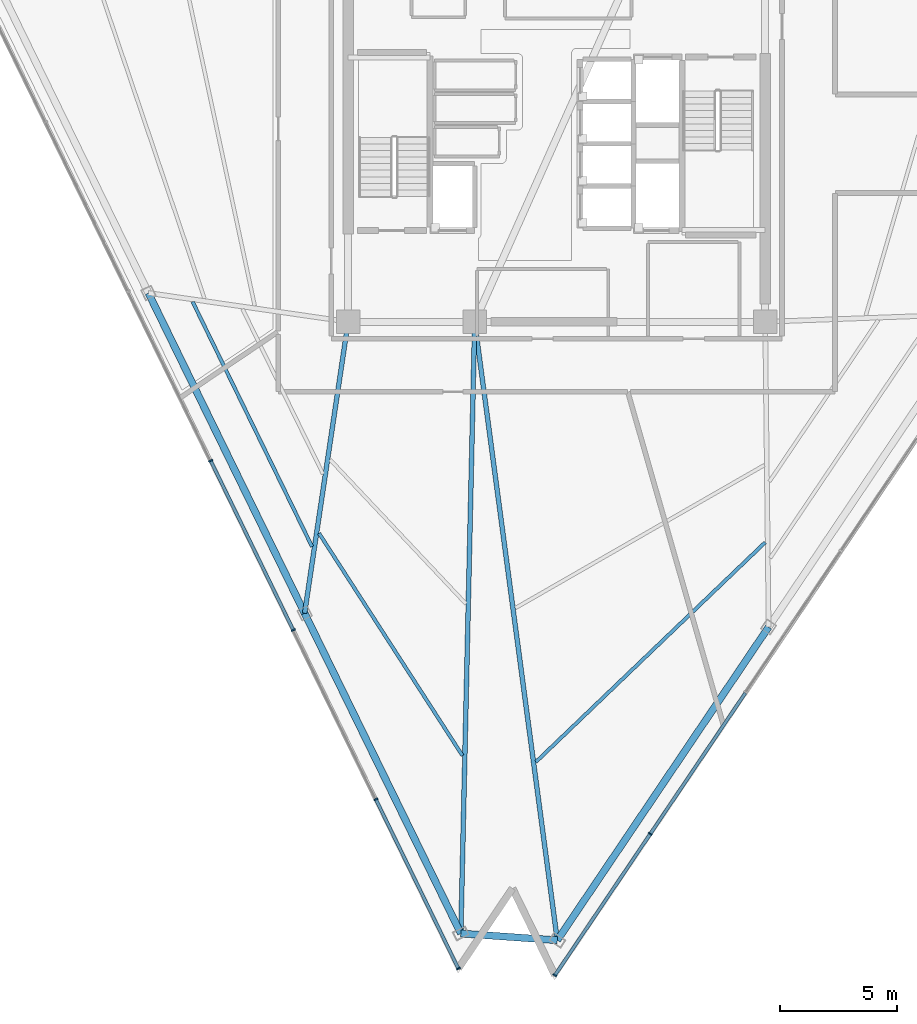
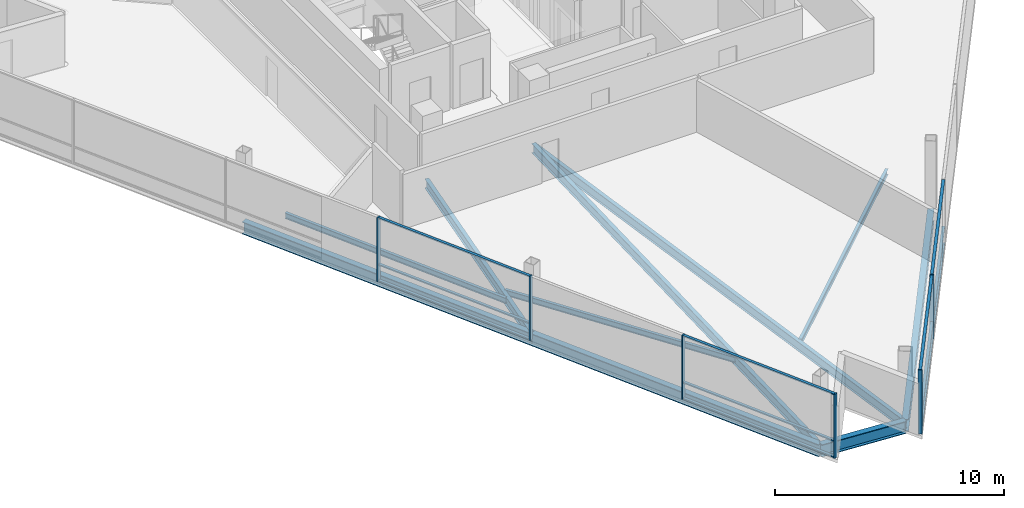
# One storey, part 2 of 14: 18 members, 10 beams, 2 elements without a shape of their own.
"""IFC4 building model written with IfcOpenShell, lengths in metres."""

from ifc_helpers import new_model, si_unit, direction, frame, origin, origin_2d, place, context, subcontext, project, spatial, rectangle, i_section, extrude, material, layer, layer_set, material_profile, profile_set, type_object, element, aggregate, save


model = new_model("IFC4")

# Units and contexts
model_context = context("Model", 3, precision=1e-05, world=origin(), true_north=direction((0.0, 1.0)))
body_context = subcontext(model_context, "Body", "Model", "MODEL_VIEW")
ifc_project = project(units=[si_unit("LENGTHUNIT", "METRE"), si_unit("AREAUNIT", "SQUARE_METRE"), si_unit("VOLUMEUNIT", "CUBIC_METRE"), si_unit("PLANEANGLEUNIT", "RADIAN"), si_unit("MASSUNIT", "GRAM", prefix="KILO")], contexts=[model_context])

# Site, building, storey
site_placement = place(None, origin())
site = spatial("IfcSite", under=ifc_project, at=site_placement, CompositionType="ELEMENT")
building_placement = place(site_placement, origin())
building = spatial("IfcBuilding", under=site, at=building_placement, Name="Tharavind Bronze Gate", CompositionType="ELEMENT")
storey_placement = place(building_placement, frame((0.0, 0.0, 230.64990234375)))
storey = spatial("IfcBuildingStorey", under=building, at=storey_placement, Name="L59", CompositionType="ELEMENT", Elevation=230.64990234375)

# Curtain wall, members
ifc_material_1 = material(Name="Anodised Bronze Aluminium", Category="aluminium")
ifc_layer = layer(ifc_material_1, 0.219970703125)
ifc_layer_set = layer_set([ifc_layer], Name="Anodised Bronze Aluminium")
curtain_wall_type = type_object("IfcCurtainWallType", Name="UNITISED CURTAIN WALL UPPER OFFICE", PredefinedType="USERDEFINED", material=ifc_layer_set)
curtain_wall_1_placement = place(storey_placement, origin())
curtain_wall_1 = element("IfcCurtainWall", 1, at=curtain_wall_1_placement, inside=storey, type_object=curtain_wall_type, Name="L59 unitised curtain wall upper office CW-L59-S1", ObjectType="UNITISED CURTAIN WALL", PredefinedType="USERDEFINED")
member_type_1 = type_object("IfcMemberType", Name="CURTAIN WALL BRONZE MULLION 65X180", PredefinedType="MULLION", material=ifc_material_1)
member_1_placement = place(storey_placement, frame((-14.76611328125, -13.532958984375, 0.000244140625), z_axis=(0.0, 0.0, 1.0), x_axis=(0.438371146789, -0.898794046299, 0.0)))
member_1 = element("IfcMember", 2, at=member_1_placement, type_object=member_type_1, Name="CW-L59-S1 mullion 4", PredefinedType="MULLION", context=body_context, shape_type="SweptSolid", body=[
    extrude(rectangle(XDim=0.06494140625, YDim=0.179931640625, at=origin_2d()), origin(), (0.0, 0.0, 1.0), 3.419921875),
])
member_2_placement = place(storey_placement, frame((-11.24267578125, -20.75732421875, 0.000244140625), z_axis=(0.0, 0.0, 1.0), x_axis=(0.438371146789, -0.898794046299, 0.0)))
member_2 = element("IfcMember", 3, at=member_2_placement, type_object=member_type_1, Name="CW-L59-S1 mullion 5", PredefinedType="MULLION", context=body_context, shape_type="SweptSolid", body=[
    extrude(rectangle(XDim=0.06494140625, YDim=0.179931640625, at=origin_2d()), origin(), (0.0, 0.0, 1.0), 3.419921875),
])
member_3_placement = place(storey_placement, frame((-7.718994140625, -27.98193359375, 0.000244140625), z_axis=(0.0, 0.0, 1.0), x_axis=(0.438371146789, -0.898794046299, 0.0)))
member_3 = element("IfcMember", 4, at=member_3_placement, type_object=member_type_1, Name="CW-L59-S1 mullion 6", PredefinedType="MULLION", context=body_context, shape_type="SweptSolid", body=[
    extrude(rectangle(XDim=0.06494140625, YDim=0.179931640625, at=origin_2d()), origin(), (0.0, 0.0, 1.0), 3.419921875),
])
member_4_placement = place(storey_placement, frame((-4.1953125, -35.20654296875, 0.000244140625), z_axis=(0.0, 0.0, 1.0), x_axis=(0.438371146789, -0.898794046299, 0.0)))
member_4 = element("IfcMember", 5, at=member_4_placement, type_object=member_type_1, Name="CW-L59-S1 mullion 7", PredefinedType="MULLION", context=body_context, shape_type="SweptSolid", body=[
    extrude(rectangle(XDim=0.06494140625, YDim=0.179931640625, at=origin_2d()), origin(), (0.0, 0.0, 1.0), 3.419921875),
])

curtain_wall_2_placement = place(storey_placement, origin())
curtain_wall_2 = element("IfcCurtainWall", 6, at=curtain_wall_2_placement, inside=storey, type_object=curtain_wall_type, Name="L59 unitised curtain wall upper office CW-L59-S2", ObjectType="UNITISED CURTAIN WALL", PredefinedType="USERDEFINED")
member_5_placement = place(storey_placement, frame((-0.077392578125, -35.494384765625, 0.000244140625), z_axis=(0.0, 0.0, 1.0), x_axis=(0.559192903471, 0.829037572555, 0.0)))
member_5 = element("IfcMember", 7, at=member_5_placement, type_object=member_type_1, Name="CW-L59-S2 mullion 1", PredefinedType="MULLION", context=body_context, shape_type="SweptSolid", body=[
    extrude(rectangle(XDim=0.06494140625, YDim=0.179931640625, at=origin_2d()), origin(), (0.0, 0.0, 1.0), 3.419921875),
])
member_6_placement = place(storey_placement, frame((3.9951171875, -29.45654296875, 0.000244140625), z_axis=(0.0, 0.0, 1.0), x_axis=(0.559192903471, 0.829037572555, 0.0)))
member_6 = element("IfcMember", 8, at=member_6_placement, type_object=member_type_1, Name="CW-L59-S2 mullion 2", PredefinedType="MULLION", context=body_context, shape_type="SweptSolid", body=[
    extrude(rectangle(XDim=0.06494140625, YDim=0.179931640625, at=origin_2d()), origin(), (0.0, 0.0, 1.0), 3.419921875),
])

# Member
member_type_2 = type_object("IfcMemberType", Name="CURTAIN WALL BRONZE TRANSOM 65X140", PredefinedType="USERDEFINED", material=ifc_material_1)
member_7_placement = place(storey_placement, frame((-13.00439453125, -17.145263671875, 0.000244140625), z_axis=(0.0, 0.0, 1.0), x_axis=(0.438371146789, -0.898794046299, 0.0)))
member_7 = element("IfcMember", 9, at=member_7_placement, type_object=member_type_2, Name="CW-L59-S1 transom TB4", ObjectType="TRANSOM", PredefinedType="USERDEFINED", context=body_context, shape_type="SweptSolid", body=[
    extrude(rectangle(XDim=7.985107421875, YDim=0.139892578125, at=origin_2d()), origin(), (0.0, 0.0, 1.0), 0.06494140625),
])

member_8_placement = place(storey_placement, frame((-13.00439453125, -17.145263671875, 0.86767578125), z_axis=(0.0, 0.0, 1.0), x_axis=(0.438371146789, -0.898794046299, 0.0)))
member_8 = element("IfcMember", 10, at=member_8_placement, type_object=member_type_2, Name="CW-L59-S1 transom TS4", ObjectType="TRANSOM", PredefinedType="USERDEFINED", context=body_context, shape_type="SweptSolid", body=[
    extrude(rectangle(XDim=7.985107421875, YDim=0.139892578125, at=origin_2d()), origin(), (0.0, 0.0, 1.0), 0.06494140625),
])

member_9_placement = place(storey_placement, frame((-13.00439453125, -17.145263671875, 3.355224609375), z_axis=(0.0, 0.0, 1.0), x_axis=(0.438371146789, -0.898794046299, 0.0)))
member_9 = element("IfcMember", 11, at=member_9_placement, type_object=member_type_2, Name="CW-L59-S1 transom TT4", ObjectType="TRANSOM", PredefinedType="USERDEFINED", context=body_context, shape_type="SweptSolid", body=[
    extrude(rectangle(XDim=7.985107421875, YDim=0.139892578125, at=origin_2d()), origin(), (0.0, 0.0, 1.0), 0.06494140625),
])

member_10_placement = place(storey_placement, frame((-5.95703125, -31.59423828125, 0.000244140625), z_axis=(0.0, 0.0, 1.0), x_axis=(0.438371146789, -0.898794046299, 0.0)))
member_10 = element("IfcMember", 12, at=member_10_placement, type_object=member_type_2, Name="CW-L59-S1 transom TB6", ObjectType="TRANSOM", PredefinedType="USERDEFINED", context=body_context, shape_type="SweptSolid", body=[
    extrude(rectangle(XDim=7.985107421875, YDim=0.139892578125, at=origin_2d()), origin(), (0.0, 0.0, 1.0), 0.06494140625),
])

member_11_placement = place(storey_placement, frame((-5.95703125, -31.59423828125, 0.86767578125), z_axis=(0.0, 0.0, 1.0), x_axis=(0.438371146789, -0.898794046299, 0.0)))
member_11 = element("IfcMember", 13, at=member_11_placement, type_object=member_type_2, Name="CW-L59-S1 transom TS6", ObjectType="TRANSOM", PredefinedType="USERDEFINED", context=body_context, shape_type="SweptSolid", body=[
    extrude(rectangle(XDim=7.985107421875, YDim=0.139892578125, at=origin_2d()), origin(), (0.0, 0.0, 1.0), 0.06494140625),
])

member_12_placement = place(storey_placement, frame((-5.95703125, -31.59423828125, 3.355224609375), z_axis=(0.0, 0.0, 1.0), x_axis=(0.438371146789, -0.898794046299, 0.0)))
member_12 = element("IfcMember", 14, at=member_12_placement, type_object=member_type_2, Name="CW-L59-S1 transom TT6", ObjectType="TRANSOM", PredefinedType="USERDEFINED", context=body_context, shape_type="SweptSolid", body=[
    extrude(rectangle(XDim=7.985107421875, YDim=0.139892578125, at=origin_2d()), origin(), (0.0, 0.0, 1.0), 0.06494140625),
])

aggregate(curtain_wall_1, [member_1, member_2, member_3, member_4, member_7, member_8, member_9, member_10, member_11, member_12])

member_13_placement = place(storey_placement, frame((1.958984375, -32.4755859375, 0.000244140625), z_axis=(0.0, 0.0, 1.0), x_axis=(0.559192903471, 0.829037572555, 0.0)))
member_13 = element("IfcMember", 15, at=member_13_placement, type_object=member_type_2, Name="CW-L59-S2 transom TB1", ObjectType="TRANSOM", PredefinedType="USERDEFINED", context=body_context, shape_type="SweptSolid", body=[
    extrude(rectangle(XDim=7.22998046875, YDim=0.139892578125, at=origin_2d()), origin(), (0.0, 0.0, 1.0), 0.06494140625),
])

member_14_placement = place(storey_placement, frame((1.958984375, -32.4755859375, 0.86767578125), z_axis=(0.0, 0.0, 1.0), x_axis=(0.559192903471, 0.829037572555, 0.0)))
member_14 = element("IfcMember", 16, at=member_14_placement, type_object=member_type_2, Name="CW-L59-S2 transom TS1", ObjectType="TRANSOM", PredefinedType="USERDEFINED", context=body_context, shape_type="SweptSolid", body=[
    extrude(rectangle(XDim=7.22998046875, YDim=0.139892578125, at=origin_2d()), origin(), (0.0, 0.0, 1.0), 0.06494140625),
])

member_15_placement = place(storey_placement, frame((1.958984375, -32.4755859375, 3.355224609375), z_axis=(0.0, 0.0, 1.0), x_axis=(0.559192903471, 0.829037572555, 0.0)))
member_15 = element("IfcMember", 17, at=member_15_placement, type_object=member_type_2, Name="CW-L59-S2 transom TT1", ObjectType="TRANSOM", PredefinedType="USERDEFINED", context=body_context, shape_type="SweptSolid", body=[
    extrude(rectangle(XDim=7.22998046875, YDim=0.139892578125, at=origin_2d()), origin(), (0.0, 0.0, 1.0), 0.06494140625),
])

member_16_placement = place(storey_placement, frame((6.031494140625, -26.437744140625, 0.000244140625), z_axis=(0.0, 0.0, 1.0), x_axis=(0.559192903471, 0.829037572555, 0.0)))
member_16 = element("IfcMember", 18, at=member_16_placement, type_object=member_type_2, Name="CW-L59-S2 transom TB2", ObjectType="TRANSOM", PredefinedType="USERDEFINED", context=body_context, shape_type="SweptSolid", body=[
    extrude(rectangle(XDim=7.22998046875, YDim=0.139892578125, at=origin_2d()), origin(), (0.0, 0.0, 1.0), 0.06494140625),
])

member_17_placement = place(storey_placement, frame((6.031494140625, -26.437744140625, 0.86767578125), z_axis=(0.0, 0.0, 1.0), x_axis=(0.559192903471, 0.829037572555, 0.0)))
member_17 = element("IfcMember", 19, at=member_17_placement, type_object=member_type_2, Name="CW-L59-S2 transom TS2", ObjectType="TRANSOM", PredefinedType="USERDEFINED", context=body_context, shape_type="SweptSolid", body=[
    extrude(rectangle(XDim=7.22998046875, YDim=0.139892578125, at=origin_2d()), origin(), (0.0, 0.0, 1.0), 0.06494140625),
])

member_18_placement = place(storey_placement, frame((6.031494140625, -26.437744140625, 3.355224609375), z_axis=(0.0, 0.0, 1.0), x_axis=(0.559192903471, 0.829037572555, 0.0)))
member_18 = element("IfcMember", 20, at=member_18_placement, type_object=member_type_2, Name="CW-L59-S2 transom TT2", ObjectType="TRANSOM", PredefinedType="USERDEFINED", context=body_context, shape_type="SweptSolid", body=[
    extrude(rectangle(XDim=7.22998046875, YDim=0.139892578125, at=origin_2d()), origin(), (0.0, 0.0, 1.0), 0.06494140625),
])

aggregate(curtain_wall_2, [member_5, member_6, member_13, member_14, member_15, member_16, member_17, member_18])

# Beams
ifc_material_2 = material(Name="Steel S355", Category="steel")
ifc_material_profile_1 = material_profile(ifc_material_2, i_section(OverallWidth=0.300048828125, OverallDepth=0.64990234375, WebThickness=0.01611328125, FlangeThickness=0.031005859375, at=origin_2d()), Name="HE650B")
ifc_profile_set_1 = profile_set([ifc_material_profile_1], Name="Steel S355")
beam_type_1 = type_object("IfcBeamType", Name="PRIMARY GIRDER HE650B", PredefinedType="USERDEFINED", material=ifc_profile_set_1)
beam_1_placement = place(storey_placement, frame((-17.42578125, -6.368896484375, -0.5048828125), z_axis=(0.438369868708, -0.89879466966, 0.0), x_axis=(0.89879466966, 0.438369868708, 0.0)))
element("IfcBeam", 21, at=beam_1_placement, inside=storey, type_object=beam_type_1, Name="L59 primary girder he650b BM-L59-PRG02", ObjectType="GIRDER", PredefinedType="USERDEFINED", context=body_context, shape_type="SweptSolid", body=[
    extrude(i_section(OverallWidth=0.300048828125, OverallDepth=0.64990234375, WebThickness=0.01611328125, FlangeThickness=0.031005859375, at=origin_2d()), origin(), (0.0, 0.0, 1.0), 15.209716796875),
])
beam_2_placement = place(storey_placement, frame((-10.75830078125, -20.039306640625, -0.5048828125), z_axis=(0.438370186885, -0.898794514475, 0.0), x_axis=(0.898794514475, 0.438370186885, 0.0)))
element("IfcBeam", 22, at=beam_2_placement, inside=storey, type_object=beam_type_1, Name="L59 primary girder he650b BM-L59-PRG03", ObjectType="GIRDER", PredefinedType="USERDEFINED", context=body_context, shape_type="SweptSolid", body=[
    extrude(i_section(OverallWidth=0.300048828125, OverallDepth=0.64990234375, WebThickness=0.01611328125, FlangeThickness=0.031005859375, at=origin_2d()), origin(), (0.0, 0.0, 1.0), 15.210205078125),
])
beam_3_placement = place(storey_placement, frame((-4.090576171875, -33.710205078125, -0.5048828125), z_axis=(0.99756592469, -0.069729662964, 0.0), x_axis=(0.069729662964, 0.99756592469, 0.0)))
element("IfcBeam", 23, at=beam_3_placement, inside=storey, type_object=beam_type_1, Name="L59 primary girder he650b BM-L59-PRG04", ObjectType="GIRDER", PredefinedType="USERDEFINED", context=body_context, shape_type="SweptSolid", body=[
    extrude(i_section(OverallWidth=0.300048828125, OverallDepth=0.64990234375, WebThickness=0.01611328125, FlangeThickness=0.031005859375, at=origin_2d()), origin(), (0.0, 0.0, 1.0), 4.1279296875),
])
beam_4_placement = place(storey_placement, frame((0.02734375, -33.998046875, -0.5048828125), z_axis=(0.559188128577, 0.829040793241, 0.0), x_axis=(-0.829040793241, 0.559188128577, 0.0)))
element("IfcBeam", 24, at=beam_4_placement, inside=storey, type_object=beam_type_1, Name="L59 primary girder he650b BM-L59-PRG05", ObjectType="GIRDER", PredefinedType="USERDEFINED", context=body_context, shape_type="SweptSolid", body=[
    extrude(i_section(OverallWidth=0.300048828125, OverallDepth=0.64990234375, WebThickness=0.01611328125, FlangeThickness=0.031005859375, at=origin_2d()), origin(), (0.0, 0.0, 1.0), 16.12744140625),
])
ifc_material_profile_2 = material_profile(ifc_material_2, i_section(OverallWidth=0.199951171875, OverallDepth=0.5, WebThickness=0.01025390625, FlangeThickness=0.01611328125, at=origin_2d()), Name="IPE500")
ifc_profile_set_2 = profile_set([ifc_material_profile_2], Name="Steel S355")
beam_type_2 = type_object("IfcBeamType", Name="PRIMARY GIRDER IPE500", PredefinedType="USERDEFINED", material=ifc_profile_set_2)
beam_5_placement = place(storey_placement, frame((-10.75830078125, -20.039306640625, -0.429931640625), z_axis=(0.147758563849, 0.989023461203, 0.0), x_axis=(-0.989023461203, 0.147758563849, 0.0)))
element("IfcBeam", 25, at=beam_5_placement, inside=storey, type_object=beam_type_2, Name="L59 primary girder ipe500 BM-L59-RAD03", ObjectType="GIRDER", PredefinedType="USERDEFINED", context=body_context, shape_type="SweptSolid", body=[
    extrude(i_section(OverallWidth=0.199951171875, OverallDepth=0.5, WebThickness=0.01025390625, FlangeThickness=0.01611328125, at=origin_2d()), origin(), (0.0, 0.0, 1.0), 12.5771484375),
])
beam_6_placement = place(storey_placement, frame((-4.090576171875, -33.710205078125, -0.429931640625), z_axis=(0.022612896588, 0.999744295762, 0.0), x_axis=(-0.999744295762, 0.022612896588, 0.0)))
element("IfcBeam", 26, at=beam_6_placement, inside=storey, type_object=beam_type_2, Name="L59 primary girder ipe500 BM-L59-RAD04", ObjectType="GIRDER", PredefinedType="USERDEFINED", context=body_context, shape_type="SweptSolid", body=[
    extrude(i_section(OverallWidth=0.199951171875, OverallDepth=0.5, WebThickness=0.01025390625, FlangeThickness=0.01611328125, at=origin_2d()), origin(), (0.0, 0.0, 1.0), 26.11669921875),
])
beam_7_placement = place(storey_placement, frame((0.02734375, -33.998046875, -0.429931640625), z_axis=(-0.132444729181, 0.991190392262, 0.0), x_axis=(-0.991190392262, -0.132444729181, 0.0)))
element("IfcBeam", 27, at=beam_7_placement, inside=storey, type_object=beam_type_2, Name="L59 primary girder ipe500 BM-L59-RAD05", ObjectType="GIRDER", PredefinedType="USERDEFINED", context=body_context, shape_type="SweptSolid", body=[
    extrude(i_section(OverallWidth=0.199951171875, OverallDepth=0.5, WebThickness=0.01025390625, FlangeThickness=0.01611328125, at=origin_2d()), origin(), (0.0, 0.0, 1.0), 26.632568359375),
])
ifc_material_profile_3 = material_profile(ifc_material_2, i_section(OverallWidth=0.14990234375, OverallDepth=0.300048828125, WebThickness=0.007080078125, FlangeThickness=0.0107421875, at=origin_2d()), Name="IPE300")
ifc_profile_set_3 = profile_set([ifc_material_profile_3], Name="Steel S355")
beam_type_3 = type_object("IfcBeamType", Name="SECONDARY FLOOR JOIST IPE300", PredefinedType="JOIST", material=ifc_profile_set_3)
beam_8_placement = place(storey_placement, frame((-15.5380859375, -6.745849609375, -0.329833984375), z_axis=(0.438386835701, -0.898786394136, 0.0), x_axis=(0.898786394136, 0.438386835701, 0.0)))
element("IfcBeam", 28, at=beam_8_placement, inside=storey, type_object=beam_type_3, Name="L59 secondary floor joist ipe300 BM-L59-JSTB02", PredefinedType="JOIST", context=body_context, shape_type="SweptSolid", body=[
    extrude(i_section(OverallWidth=0.14990234375, OverallDepth=0.300048828125, WebThickness=0.007080078125, FlangeThickness=0.0107421875, at=origin_2d()), origin(), (0.0, 0.0, 1.0), 11.63427734375),
])
beam_9_placement = place(storey_placement, frame((-10.144287109375, -16.624755859375, -0.329833984375), z_axis=(0.54214213251, -0.840286801132, 0.0), x_axis=(0.840286801132, 0.54214213251, 0.0)))
element("IfcBeam", 29, at=beam_9_placement, inside=storey, type_object=beam_type_3, Name="L59 secondary floor joist ipe300 BM-L59-JSTB03", PredefinedType="JOIST", context=body_context, shape_type="SweptSolid", body=[
    extrude(i_section(OverallWidth=0.14990234375, OverallDepth=0.300048828125, WebThickness=0.007080078125, FlangeThickness=0.0107421875, at=origin_2d()), origin(), (0.0, 0.0, 1.0), 11.294677734375),
])
beam_10_placement = place(storey_placement, frame((-0.885498046875, -26.385986328125, -0.329833984375), z_axis=(0.722227015717, 0.691656083446, 0.0), x_axis=(-0.691656083446, 0.722227015717, 0.0)))
element("IfcBeam", 30, at=beam_10_placement, inside=storey, type_object=beam_type_3, Name="L59 secondary floor joist ipe300 BM-L59-JSTB05", PredefinedType="JOIST", context=body_context, shape_type="SweptSolid", body=[
    extrude(i_section(OverallWidth=0.14990234375, OverallDepth=0.300048828125, WebThickness=0.007080078125, FlangeThickness=0.0107421875, at=origin_2d()), origin(), (0.0, 0.0, 1.0), 13.55224609375),
])

save(model, "model.ifc")
